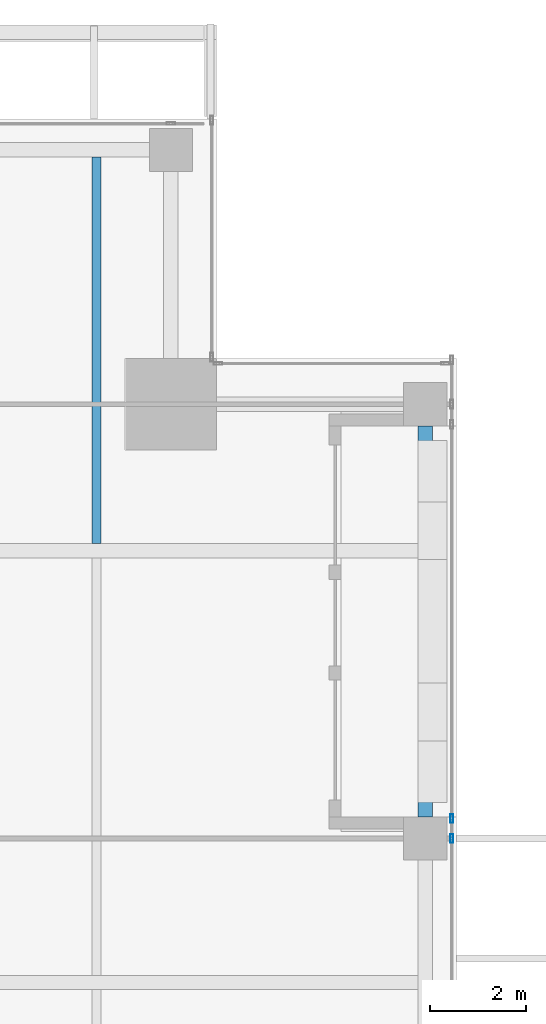
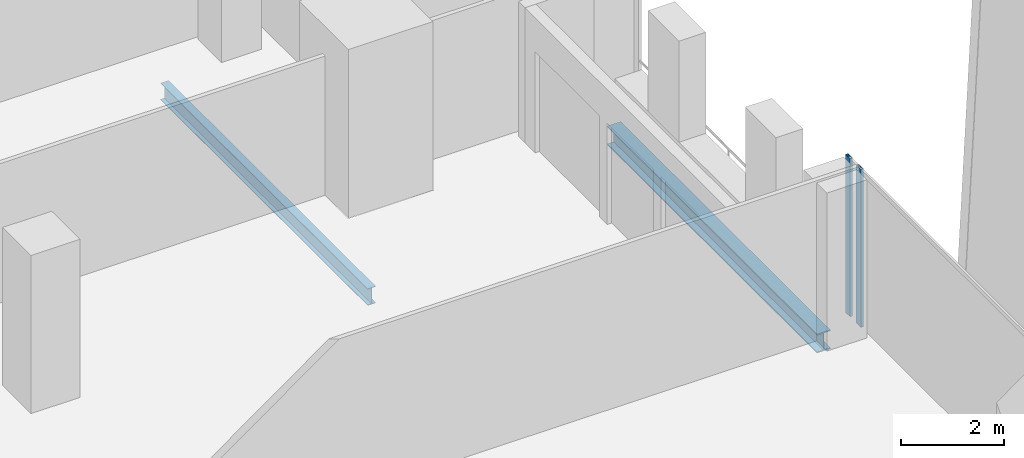
# One storey, part 19 of 35: 2 beams, 2 members, 1 element without a shape of its own.
"""IFC4 building model written with IfcOpenShell, lengths in metres."""

from ifc_helpers import new_model, si_unit, direction, frame, origin, origin_2d, place, context, subcontext, project, spatial, hollow_rectangle, i_section, extrude, source, transform, mapped, material, material_profile, profile_set, type_object, element, aggregate, save


model = new_model("IFC4")

# Units and contexts
model_context = context("Model", 3, precision=1e-05, world=origin(), true_north=direction((0.0, 1.0)))
body_context = subcontext(model_context, "Body", "Model", "MODEL_VIEW")
ifc_project = project(units=[si_unit("LENGTHUNIT", "METRE"), si_unit("AREAUNIT", "SQUARE_METRE"), si_unit("VOLUMEUNIT", "CUBIC_METRE"), si_unit("PLANEANGLEUNIT", "RADIAN"), si_unit("MASSUNIT", "GRAM", prefix="KILO")], contexts=[model_context])

# Site, building, storey
site_placement = place(None, origin())
site = spatial("IfcSite", under=ifc_project, at=site_placement, CompositionType="ELEMENT")
building_placement = place(site_placement, origin())
building = spatial("IfcBuilding", under=site, at=building_placement, Name="Khomas Fold Tower", CompositionType="ELEMENT")
storey_placement = place(building_placement, frame((0.0, 0.0, 246.199951171875)))
storey = spatial("IfcBuildingStorey", under=building, at=storey_placement, Name="L55", CompositionType="ELEMENT", Elevation=246.199951171875)

# Beams
ifc_material_1 = material(Name="Steel S355", Category="steel")
ifc_material_profile_1 = material_profile(ifc_material_1, i_section(OverallWidth=0.300048828125, OverallDepth=0.449951171875, WebThickness=0.013916015625, FlangeThickness=0.02587890625, at=origin_2d()), Name="HE 450 B")
ifc_profile_set_1 = profile_set([ifc_material_profile_1], Name="Steel S355")
beam_type_1 = type_object("IfcBeamType", Name="HE 450 B spandrel SB4", PredefinedType="SPANDREL", material=ifc_profile_set_1)
shared_shape_1 = source(origin(), body_context, "Body", "SweptSolid", [
    extrude(i_section(OverallWidth=0.300048828125, OverallDepth=0.449951171875, WebThickness=0.013916015625, FlangeThickness=0.02587890625, at=origin_2d()), origin(), (0.0, 0.0, 1.0), 8.150146484375),
])
beam_1_placement = place(storey_placement, frame((48.85009765625, 34.949951171875, -0.474853515625), z_axis=(0.0, 1.0, 0.0), x_axis=(-1.0, 0.0, 0.0)))
element("IfcBeam", 1, at=beam_1_placement, inside=storey, type_object=beam_type_1, Name="SB4", PredefinedType="SPANDREL", context=body_context, shape_type="MappedRepresentation", body=[
    mapped(shared_shape_1, transform((0.0, 0.0, 0.0))),
])
ifc_material_2 = material(Name="Steel S355", Category="steel")
ifc_material_profile_2 = material_profile(ifc_material_2, i_section(OverallWidth=0.179931640625, OverallDepth=0.39990234375, WebThickness=0.008544921875, FlangeThickness=0.013427734375, at=origin_2d()), Name="IPE 400")
ifc_profile_set_2 = profile_set([ifc_material_profile_2], Name="Steel S355")
beam_type_2 = type_object("IfcBeamType", Name="IPE 400 beam JB3", PredefinedType="BEAM", material=ifc_profile_set_2)
shared_shape_2 = source(origin(), body_context, "Body", "SweptSolid", [
    extrude(i_section(OverallWidth=0.179931640625, OverallDepth=0.39990234375, WebThickness=0.008544921875, FlangeThickness=0.013427734375, at=origin_2d()), origin(), (0.0, 0.0, 1.0), 8.050048828125),
])
beam_2_placement = place(storey_placement, frame((42.0, 40.64990234375, -0.449951171875), z_axis=(0.0, 1.0, 0.0), x_axis=(-1.0, 0.0, 0.0)))
element("IfcBeam", 2, at=beam_2_placement, inside=storey, type_object=beam_type_2, Name="JB3", PredefinedType="BEAM", context=body_context, shape_type="MappedRepresentation", body=[
    mapped(shared_shape_2, transform((0.0, 0.0, 0.0))),
])

# Curtain wall, members
ifc_material_3 = material(Name="Aluminium framed double glazing", Category="aluminium")
curtain_wall_type = type_object("IfcCurtainWallType", Name="SK-Unitised clear-glass wall, office floors CW2", PredefinedType="NOTDEFINED", material=ifc_material_3)
curtain_wall_placement = place(storey_placement, origin())
curtain_wall = element("IfcCurtainWall", 3, at=curtain_wall_placement, inside=storey, type_object=curtain_wall_type, Name="CW2 run L55 03-0", PredefinedType="NOTDEFINED")
ifc_material_4 = material(Name="Aluminium", Category="aluminium")
ifc_material_profile_3 = material_profile(ifc_material_4, hollow_rectangle(XDim=0.06005859375, YDim=0.179931640625, WallThickness=0.00390625, at=origin_2d()), Name="SK-Unitised clear-glass wall, office floors mullion CW2-M")
ifc_profile_set_3 = profile_set([ifc_material_profile_3], Name="Aluminium")
member_type = type_object("IfcMemberType", Name="SK-Unitised clear-glass wall, office floors mullion CW2-M", PredefinedType="MULLION", material=ifc_profile_set_3)
shared_shape_3 = source(origin(), body_context, "Body", "SweptSolid", [
    extrude(hollow_rectangle(XDim=0.06005859375, YDim=0.179931640625, WallThickness=0.00390625, at=origin_2d()), origin(), (0.0, 0.0, 1.0), 3.75),
])
member_1_placement = place(storey_placement, frame((49.39990234375, 34.5, 0.0), z_axis=(0.0, 0.0, 1.0), x_axis=(-1.0, 0.0, 0.0)))
member_1 = element("IfcMember", 4, at=member_1_placement, type_object=member_type, Name="CW2 mullion 5", PredefinedType="MULLION", context=body_context, shape_type="MappedRepresentation", body=[
    mapped(shared_shape_3, transform((0.0, 0.0, 0.0))),
])
member_2_placement = place(storey_placement, frame((49.39990234375, 34.919921875, 0.0), z_axis=(0.0, 0.0, 1.0), x_axis=(-1.0, 0.0, 0.0)))
member_2 = element("IfcMember", 5, at=member_2_placement, type_object=member_type, Name="CW2 mullion 6", PredefinedType="MULLION", context=body_context, shape_type="MappedRepresentation", body=[
    mapped(shared_shape_3, transform((0.0, 0.0, 0.0))),
])
aggregate(curtain_wall, [member_1, member_2])

save(model, "model.ifc")
